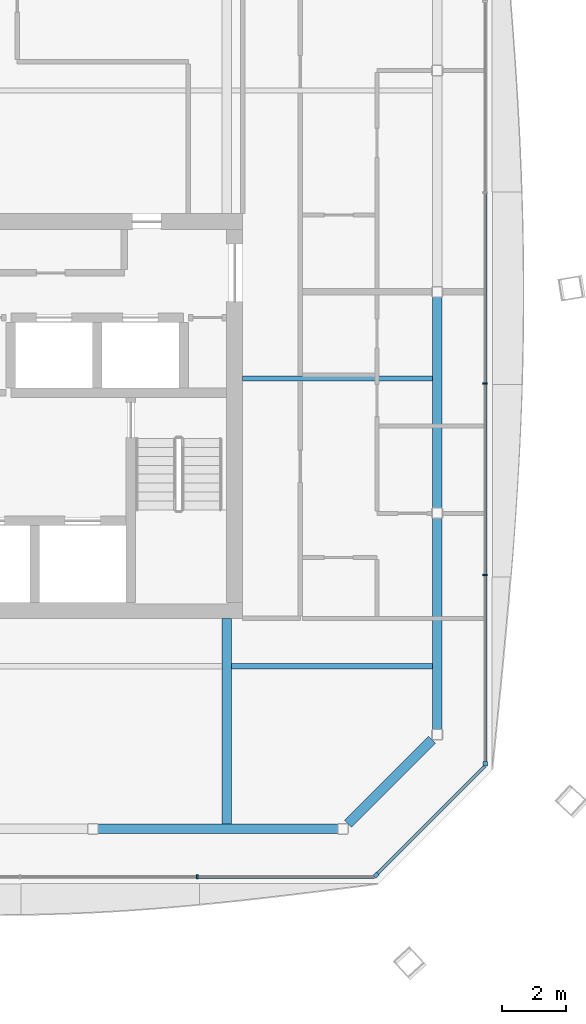
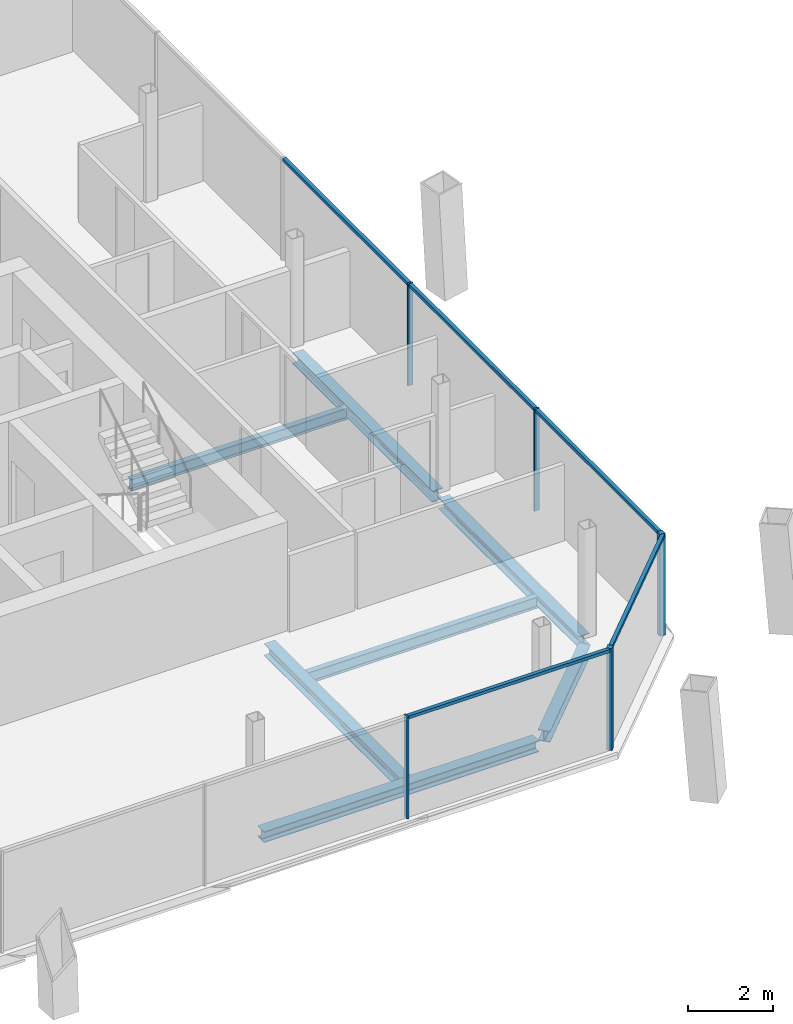
# One storey, part 8 of 20: 10 members, 7 beams, 3 elements without a shape of their own.
"""IFC4 building model written with IfcOpenShell, lengths in metres."""

import ifcopenshell
import ifcopenshell.guid

model = None  # the IFC model being written
_history = None  # IfcOwnerHistory: only IFC2X3 demands one
_inside = {}  # id of a spatial element -> (the spatial element, [elements in it])
_under = {}  # id of a project, library or spatial element -> (it, [spatial elements below it])
_declared = {}  # id of a project -> (the project, [libraries it declares])
_typed = {}  # id of a type object -> (the type object, [elements of that type])
_made_of = {}  # id of a material, layer set ... -> (it, [elements and type objects made of it])


def new_model(schema):
    """Start an empty IFC model of exactly this schema.

    Asked for "IFC4X3", IfcOpenShell would pick the latest addendum, in which some entities
    have other attributes; the version numbers below select the first issue.
    IFC2X3 requires an IfcOwnerHistory on every rooted entity: one is made here for all.
    """
    global model, _history
    if schema == "IFC4X3":
        model = ifcopenshell.file(schema_version=(4, 3, 0, 0))
    else:
        model = ifcopenshell.file(schema=schema)
    _inside.clear()
    _under.clear()
    _declared.clear()
    _typed.clear()
    _made_of.clear()
    _history = None
    if model.schema == "IFC2X3":
        org = make("IfcOrganization", Name="unknown")
        user = make(
            "IfcPersonAndOrganization",
            ThePerson=make("IfcPerson", FamilyName="unknown"),
            TheOrganization=org,
        )
        app = make(
            "IfcApplication",
            ApplicationDeveloper=org,
            Version="unknown",
            ApplicationFullName="unknown",
            ApplicationIdentifier="unknown",
        )
        _history = make(
            "IfcOwnerHistory",
            OwningUser=user,
            OwningApplication=app,
            ChangeAction="ADDED",
            CreationDate=0,
        )
    return model


def make(cls, **values):
    """One entity of the class cls with the attributes given. An attribute that is None is left unset."""
    return model.create_entity(
        cls, **{name: value for name, value in values.items() if value is not None}
    )


def rooted(cls, **values):
    """An entity with a GlobalId (a new one), such as an element, a storey or a relation."""
    return make(cls, GlobalId=ifcopenshell.guid.new(), OwnerHistory=_history, **values)


def si_unit(unit_type, name, prefix=None):
    """IfcSIUnit, for example si_unit("LENGTHUNIT", "METRE", prefix="MILLI")."""
    return make("IfcSIUnit", UnitType=unit_type, Prefix=prefix, Name=name)


def assignment(units):
    """IfcUnitAssignment: the units of a project."""
    return None if units is None else make("IfcUnitAssignment", Units=units)


def point(xyz):
    """IfcCartesianPoint."""
    return None if xyz is None else make("IfcCartesianPoint", Coordinates=xyz)


def direction(xyz):
    """IfcDirection."""
    return None if xyz is None else make("IfcDirection", DirectionRatios=xyz)


def frame(location, z_axis=None, x_axis=None):
    """IfcAxis2Placement3D, a coordinate frame: its origin and axes. An axis left out is left unset."""
    return make(
        "IfcAxis2Placement3D",
        Location=point(location),
        Axis=direction(z_axis),
        RefDirection=direction(x_axis),
    )


def frame_2d(location, x_axis=None):
    """IfcAxis2Placement2D, a coordinate frame in the plane: its origin and x axis."""
    return make(
        "IfcAxis2Placement2D", Location=point(location), RefDirection=direction(x_axis)
    )


def origin():
    """The frame at (0, 0, 0) with its axes left unset."""
    return frame((0.0, 0.0, 0.0))


def origin_2d():
    """The frame at (0, 0) in the plane with its x axis left unset."""
    return frame_2d((0.0, 0.0))


def place(relative_to, where):
    """IfcLocalPlacement: puts the frame where relative to a parent placement (None: the world)."""
    return make(
        "IfcLocalPlacement", PlacementRelTo=relative_to, RelativePlacement=where
    )


def context(
    kind, dimensions, precision=None, world=None, true_north=None, identifier=None
):
    """IfcGeometricRepresentationContext, for example the 3D "Model" context."""
    return make(
        "IfcGeometricRepresentationContext",
        ContextIdentifier=identifier,
        ContextType=kind,
        CoordinateSpaceDimension=dimensions,
        Precision=precision,
        WorldCoordinateSystem=world,
        TrueNorth=true_north,
    )


def subcontext(parent, identifier, kind, view, scale=None):
    """IfcGeometricRepresentationSubContext, for example "Body" below "Model"."""
    return make(
        "IfcGeometricRepresentationSubContext",
        ContextIdentifier=identifier,
        ContextType=kind,
        ParentContext=parent,
        TargetScale=scale,
        TargetView=view,
    )


def project(units=None, contexts=None):
    """IfcProject with its units and contexts."""
    return rooted(
        "IfcProject",
        Name="project",
        RepresentationContexts=contexts,
        UnitsInContext=assignment(units),
    )


def spatial(cls, under=None, at=None, **own):
    """A site, building, storey or space (cls), placed at a placement, below another one or the project."""
    s = rooted(cls, ObjectPlacement=at, **own)
    if under is not None:
        _under.setdefault(under.id(), (under, []))[1].append(s)
    return s


def profile(cls, at=None, kind="AREA", **sizes):
    """A parametric profile (cls). Its sizes go by their IFC names, for example OverallWidth=200.0."""
    return make(cls, ProfileType=kind, Position=at, **sizes)


def rectangle(**sizes):
    """IfcRectangleProfileDef."""
    return profile("IfcRectangleProfileDef", **sizes)


def i_section(**sizes):
    """IfcIShapeProfileDef."""
    return profile("IfcIShapeProfileDef", **sizes)


def extrude(swept, where, along, depth):
    """IfcExtrudedAreaSolid: the profile swept, set in the frame where, extruded along a direction by depth."""
    return make(
        "IfcExtrudedAreaSolid",
        SweptArea=swept,
        Position=where,
        ExtrudedDirection=direction(along),
        Depth=depth,
    )


def shape(context_of_items, identifier, shape_type, items):
    """IfcShapeRepresentation: the items that make up one representation, for example the "Body"."""
    return make(
        "IfcShapeRepresentation",
        ContextOfItems=context_of_items,
        RepresentationIdentifier=identifier,
        RepresentationType=shape_type,
        Items=items,
    )


def material(Name=None, Category=None):
    """IfcMaterial."""
    return make("IfcMaterial", Name=Name, Category=Category)


def material_profile(
    of_material, cross_section, Name=None, Category=None, Priority=None
):
    """IfcMaterialProfile: a cross section and its material."""
    return make(
        "IfcMaterialProfile",
        Name=Name,
        Material=of_material,
        Profile=cross_section,
        Priority=Priority,
        Category=Category,
    )


def profile_set(profiles, Name=None, composite=None):
    """IfcMaterialProfileSet."""
    return make(
        "IfcMaterialProfileSet",
        Name=Name,
        MaterialProfiles=profiles,
        CompositeProfile=composite,
    )


def made_of(thing, what):
    """Note that an element or type object is made of a material, layer set ...; save() writes the relation."""
    if what is not None:
        _made_of.setdefault(what.id(), (what, []))[1].append(thing)
    return thing


def type_object(cls, material=None, **own):
    """A type object (cls), such as IfcWallType, which elements share."""
    return made_of(rooted(cls, **own), material)


def element(
    cls,
    number,
    at=None,
    inside=None,
    cuts=None,
    type_object=None,
    material=None,
    context=None,
    identifier="Body",
    shape_type=None,
    held_by="IfcProductDefinitionShape",
    body=None,
    shapes=None,
    **own,
):
    """One element of the class cls, such as IfcWall. Its Tag is "e" and its number.

    at: its placement. inside: the storey or other place that contains it. cuts: it is an
    opening in that element (IfcRelVoidsElement). A single representation is given by context,
    identifier, shape_type and body (its items); several are given by shapes. held_by: the class
    of the entity that holds the representations. save() writes the other relations.
    """
    e = rooted(cls, Tag="e%d" % number, ObjectPlacement=at, **own)
    if body is not None:
        shapes = [shape(context, identifier, shape_type, body)]
    if shapes is not None:
        e.Representation = make(held_by, Representations=shapes)
    if inside is not None:
        _inside.setdefault(inside.id(), (inside, []))[1].append(e)
    if cuts is not None:
        rooted(
            "IfcRelVoidsElement", RelatingBuildingElement=cuts, RelatedOpeningElement=e
        )
    if type_object is not None:
        _typed.setdefault(type_object.id(), (type_object, []))[1].append(e)
    return made_of(e, material)


def aggregate(whole, parts):
    """IfcRelAggregates: a whole, such as a stair, and the parts it consists of."""
    return rooted("IfcRelAggregates", RelatingObject=whole, RelatedObjects=parts)


def save(model, path):
    """Write the relations noted so far, then the file.

    IfcRelAggregates (storeys below a building ...), IfcRelContainedInSpatialStructure (elements
    in a storey), IfcRelDefinesByType, IfcRelAssociatesMaterial and IfcRelDeclares: one each for
    every whole, place, type object, material and project.
    """
    for whole, parts in _under.values():
        aggregate(whole, parts)
    for where, things in _inside.values():
        rooted(
            "IfcRelContainedInSpatialStructure",
            RelatedElements=things,
            RelatingStructure=where,
        )
    for kind, things in _typed.values():
        rooted("IfcRelDefinesByType", RelatedObjects=things, RelatingType=kind)
    for what, things in _made_of.values():
        rooted("IfcRelAssociatesMaterial", RelatedObjects=things, RelatingMaterial=what)
    for by, libraries in _declared.values():
        rooted("IfcRelDeclares", RelatingContext=by, RelatedDefinitions=libraries)
    model.write(path)


model = new_model("IFC4")

# Units and contexts
model_context = context("Model", 3, precision=1e-05, world=origin(), true_north=direction((0.0, 1.0)))
body_context = subcontext(model_context, "Body", "Model", "MODEL_VIEW")
ifc_project = project(units=[si_unit("LENGTHUNIT", "METRE"), si_unit("AREAUNIT", "SQUARE_METRE"), si_unit("VOLUMEUNIT", "CUBIC_METRE"), si_unit("PLANEANGLEUNIT", "RADIAN"), si_unit("MASSUNIT", "GRAM", prefix="KILO")], contexts=[model_context])

# Site, building, storey
site_placement = place(None, origin())
site = spatial("IfcSite", under=ifc_project, at=site_placement, CompositionType="ELEMENT")
building_placement = place(site_placement, origin())
building = spatial("IfcBuilding", under=site, at=building_placement, Name="Tskaro Facet Tower", CompositionType="ELEMENT")
storey_placement = place(building_placement, frame((0.0, 0.0, 197.39990234375)))
storey = spatial("IfcBuildingStorey", under=building, at=storey_placement, Name="L50", CompositionType="ELEMENT", Elevation=197.39990234375)

# Curtain wall, member
ifc_material_1 = material(Name="Bronze anodised aluminium 6063-T6", Category="aluminium")
curtain_wall_type = type_object("IfcCurtainWallType", Name="Bronze residence curtain wall (FW3)", PredefinedType="NOTDEFINED", material=ifc_material_1)
curtain_wall_1_placement = place(storey_placement, origin())
curtain_wall_1 = element("IfcCurtainWall", 1, at=curtain_wall_1_placement, inside=storey, type_object=curtain_wall_type, Name="FW3 south-east facet L50", PredefinedType="NOTDEFINED")
ifc_material_profile_1 = material_profile(ifc_material_1, rectangle(XDim=0.139892578125, YDim=0.139892578125, at=origin_2d()), Name="Corner post 140x140")
ifc_profile_set_1 = profile_set([ifc_material_profile_1], Name="Bronze anodised aluminium 6063-T6")
member_type_1 = type_object("IfcMemberType", Name="FW3 bronze corner post 140x140", PredefinedType="MULLION", material=ifc_profile_set_1)
member_1_placement = place(storey_placement, frame((13.66748046875, -20.030517578125, 0.0), z_axis=(0.0, 0.0, 1.0), x_axis=(0.707106781187, 0.707106781187, 0.0)))
member_1 = element("IfcMember", 2, at=member_1_placement, type_object=member_type_1, Name="FW3 south-east corner post", PredefinedType="MULLION", context=body_context, shape_type="SweptSolid", body=[
    extrude(rectangle(XDim=0.139892578125, YDim=0.139892578125, at=origin_2d()), origin(), (0.0, 0.0, 1.0), 2.9501953125),
])

curtain_wall_2_placement = place(storey_placement, origin())
curtain_wall_2 = element("IfcCurtainWall", 3, at=curtain_wall_2_placement, inside=storey, type_object=curtain_wall_type, Name="FW3 east facet L50", PredefinedType="NOTDEFINED")
member_2_placement = place(storey_placement, frame((17.080078125, -16.548095703125, 0.0), z_axis=(0.0, 0.0, 1.0), x_axis=(0.0, 1.0, 0.0)))
member_2 = element("IfcMember", 4, at=member_2_placement, type_object=member_type_1, Name="FW3 east corner post", PredefinedType="MULLION", context=body_context, shape_type="SweptSolid", body=[
    extrude(rectangle(XDim=0.139892578125, YDim=0.139892578125, at=origin_2d()), origin(), (0.0, 0.0, 1.0), 2.9501953125),
])

curtain_wall_3_placement = place(storey_placement, origin())
curtain_wall_3 = element("IfcCurtainWall", 5, at=curtain_wall_3_placement, inside=storey, type_object=curtain_wall_type, Name="FW3 south facet L50", PredefinedType="NOTDEFINED")
ifc_material_profile_2 = material_profile(ifc_material_1, rectangle(XDim=0.050048828125, YDim=0.139892578125, at=origin_2d()), Name="Mullion 50x140")
ifc_profile_set_2 = profile_set([ifc_material_profile_2], Name="Bronze anodised aluminium 6063-T6")
member_type_2 = type_object("IfcMemberType", Name="FW3 bronze mullion 50x140", PredefinedType="MULLION", material=ifc_profile_set_2)
member_3_placement = place(storey_placement, frame((8.07861328125, -20.080078125, 0.0), z_axis=(0.0, 0.0, 1.0), x_axis=(1.0, 0.0, 0.0)))
member_3 = element("IfcMember", 6, at=member_3_placement, type_object=member_type_2, Name="FW3 south mullion 5", PredefinedType="MULLION", context=body_context, shape_type="SweptSolid", body=[
    extrude(rectangle(XDim=0.050048828125, YDim=0.139892578125, at=origin_2d()), origin(), (0.0, 0.0, 1.0), 2.9501953125),
])

# Member
member_4_placement = place(storey_placement, frame((17.080078125, -10.640380859375, 0.0), z_axis=(0.0, 0.0, 1.0), x_axis=(0.0, 1.0, 0.0)))
member_4 = element("IfcMember", 7, at=member_4_placement, type_object=member_type_2, Name="FW3 east mullion 1", PredefinedType="MULLION", context=body_context, shape_type="SweptSolid", body=[
    extrude(rectangle(XDim=0.050048828125, YDim=0.139892578125, at=origin_2d()), origin(), (0.0, 0.0, 1.0), 2.9501953125),
])

member_5_placement = place(storey_placement, frame((17.080078125, -4.662841796875, 0.0), z_axis=(0.0, 0.0, 1.0), x_axis=(0.0, 1.0, 0.0)))
member_5 = element("IfcMember", 8, at=member_5_placement, type_object=member_type_2, Name="FW3 east mullion 2", PredefinedType="MULLION", context=body_context, shape_type="SweptSolid", body=[
    extrude(rectangle(XDim=0.050048828125, YDim=0.139892578125, at=origin_2d()), origin(), (0.0, 0.0, 1.0), 2.9501953125),
])

ifc_material_profile_3 = material_profile(ifc_material_1, rectangle(XDim=0.10009765625, YDim=0.090087890625, at=origin_2d()), Name="Transom 100x90")
ifc_profile_set_3 = profile_set([ifc_material_profile_3], Name="Bronze anodised aluminium 6063-T6")
member_type_3 = type_object("IfcMemberType", Name="FW3 bronze transom 100x90", PredefinedType="USERDEFINED", material=ifc_profile_set_3)
member_6_placement = place(storey_placement, frame((8.103759765625, -20.080078125, 2.905029296875), z_axis=(1.0, 0.0, 0.0), x_axis=(0.0, 1.0, 0.0)))
member_6 = element("IfcMember", 9, at=member_6_placement, type_object=member_type_3, Name="FW3 south transom 6.1", ObjectType="TRANSOM", PredefinedType="USERDEFINED", context=body_context, shape_type="SweptSolid", body=[
    extrude(rectangle(XDim=0.10009765625, YDim=0.090087890625, at=origin_2d()), origin(), (0.0, 0.0, 1.0), 5.51416015625),
])

aggregate(curtain_wall_3, [member_3, member_6])

member_7_placement = place(storey_placement, frame((13.717041015625, -19.98095703125, 2.905029296875), z_axis=(0.707106781187, 0.707106781187, 0.0), x_axis=(-0.707106781187, 0.707106781187, 0.0)))
member_7 = element("IfcMember", 10, at=member_7_placement, type_object=member_type_3, Name="FW3 south-east transom 1.1", ObjectType="TRANSOM", PredefinedType="USERDEFINED", context=body_context, shape_type="SweptSolid", body=[
    extrude(rectangle(XDim=0.10009765625, YDim=0.090087890625, at=origin_2d()), origin(), (0.0, 0.0, 1.0), 4.756103515625),
])

aggregate(curtain_wall_1, [member_1, member_7])

member_8_placement = place(storey_placement, frame((17.080078125, -16.47802734375, 2.905029296875), z_axis=(0.0, 1.0, 0.0), x_axis=(-1.0, 0.0, 0.0)))
member_8 = element("IfcMember", 11, at=member_8_placement, type_object=member_type_3, Name="FW3 east transom 1.1", ObjectType="TRANSOM", PredefinedType="USERDEFINED", context=body_context, shape_type="SweptSolid", body=[
    extrude(rectangle(XDim=0.10009765625, YDim=0.090087890625, at=origin_2d()), origin(), (0.0, 0.0, 1.0), 5.812744140625),
])

member_9_placement = place(storey_placement, frame((17.080078125, -10.615478515625, 2.905029296875), z_axis=(0.0, 1.0, 0.0), x_axis=(-1.0, 0.0, 0.0)))
member_9 = element("IfcMember", 12, at=member_9_placement, type_object=member_type_3, Name="FW3 east transom 2.1", ObjectType="TRANSOM", PredefinedType="USERDEFINED", context=body_context, shape_type="SweptSolid", body=[
    extrude(rectangle(XDim=0.10009765625, YDim=0.090087890625, at=origin_2d()), origin(), (0.0, 0.0, 1.0), 5.927734375),
])

member_10_placement = place(storey_placement, frame((17.080078125, -4.6376953125, 2.905029296875), z_axis=(0.0, 1.0, 0.0), x_axis=(-1.0, 0.0, 0.0)))
member_10 = element("IfcMember", 13, at=member_10_placement, type_object=member_type_3, Name="FW3 east transom 3.1", ObjectType="TRANSOM", PredefinedType="USERDEFINED", context=body_context, shape_type="SweptSolid", body=[
    extrude(rectangle(XDim=0.10009765625, YDim=0.090087890625, at=origin_2d()), origin(), (0.0, 0.0, 1.0), 5.927490234375),
])

aggregate(curtain_wall_2, [member_2, member_4, member_5, member_8, member_9, member_10])

# Beams
ifc_material_2 = material(Name="Steel S355J2", Category="steel")
ifc_material_profile_4 = material_profile(ifc_material_2, i_section(OverallWidth=0.300048828125, OverallDepth=0.320068359375, WebThickness=0.011474609375, FlangeThickness=0.0205078125, FilletRadius=0.027099609375, at=origin_2d()), Name="HE 320 B")
ifc_profile_set_4 = profile_set([ifc_material_profile_4], Name="Steel S355J2")
beam_type_1 = type_object("IfcBeamType", Name="HE 320 B ring beam", PredefinedType="BEAM", material=ifc_profile_set_4)
beam_1_placement = place(storey_placement, frame((4.971923828125, -18.5830078125, -0.2998046875), z_axis=(1.0, 0.0, 0.0), x_axis=(0.0, 1.0, 0.0)))
element("IfcBeam", 14, at=beam_1_placement, inside=storey, type_object=beam_type_1, Name="HE 320 B EB4-4", PredefinedType="BEAM", context=body_context, shape_type="SweptSolid", body=[
    extrude(i_section(OverallWidth=0.300048828125, OverallDepth=0.320068359375, WebThickness=0.011474609375, FlangeThickness=0.0205078125, FilletRadius=0.027099609375, at=origin_2d()), origin(), (0.0, 0.0, 1.0), 7.506103515625),
])
beam_2_placement = place(storey_placement, frame((12.7939453125, -18.422119140625, -0.2998046875), z_axis=(0.707106781187, 0.707106781187, 0.0), x_axis=(-0.707106781187, 0.707106781187, 0.0)))
element("IfcBeam", 15, at=beam_2_placement, inside=storey, type_object=beam_type_1, Name="HE 320 B EB5-4", PredefinedType="BEAM", context=body_context, shape_type="SweptSolid", body=[
    extrude(i_section(OverallWidth=0.300048828125, OverallDepth=0.320068359375, WebThickness=0.011474609375, FlangeThickness=0.0205078125, FilletRadius=0.027099609375, at=origin_2d()), origin(), (0.0, 0.0, 1.0), 3.716796875),
])
for number, where, z_axis, x_axis, name in (
    (16, (15.5830078125, -15.47802734375, -0.2998046875), (0.0, 1.0, 0.0), (-1.0, 0.0, 0.0), "HE 320 B EB6-4"),
    (17, (15.5830078125, -8.55810546875, -0.2998046875), (0.0, 1.0, 0.0), (-1.0, 0.0, 0.0), "HE 320 B EB7-4"),
):
    element("IfcBeam", number, at=place(storey_placement, frame(where, z_axis=z_axis, x_axis=x_axis)), inside=storey, type_object=beam_type_1, Name=name, PredefinedType="BEAM", context=body_context, shape_type="SweptSolid", body=[
        extrude(i_section(OverallWidth=0.300048828125, OverallDepth=0.320068359375, WebThickness=0.011474609375, FlangeThickness=0.0205078125, FilletRadius=0.027099609375, at=origin_2d()), origin(), (0.0, 0.0, 1.0), 6.610107421875),
    ])
ifc_material_profile_5 = material_profile(ifc_material_2, i_section(OverallWidth=0.300048828125, OverallDepth=0.35009765625, WebThickness=0.010009765625, FlangeThickness=0.017578125, FilletRadius=0.027099609375, at=origin_2d()), Name="HE 360 A")
ifc_profile_set_5 = profile_set([ifc_material_profile_5], Name="Steel S355J2")
beam_type_2 = type_object("IfcBeamType", Name="HE 360 A girder", PredefinedType="BEAM", material=ifc_profile_set_5)
beam_3_placement = place(storey_placement, frame((9.0, -18.43310546875, -0.31494140625), z_axis=(0.0, 1.0, 0.0), x_axis=(-1.0, 0.0, 0.0)))
element("IfcBeam", 18, at=beam_3_placement, inside=storey, type_object=beam_type_2, Name="HE 360 A GB5-1-4", PredefinedType="BEAM", context=body_context, shape_type="SweptSolid", body=[
    extrude(i_section(OverallWidth=0.300048828125, OverallDepth=0.35009765625, WebThickness=0.010009765625, FlangeThickness=0.017578125, FilletRadius=0.027099609375, at=origin_2d()), origin(), (0.0, 0.0, 1.0), 6.43310546875),
])
ifc_material_profile_6 = material_profile(ifc_material_2, i_section(OverallWidth=0.159912109375, OverallDepth=0.330078125, WebThickness=0.007568359375, FlangeThickness=0.011474609375, FilletRadius=0.01806640625, at=origin_2d()), Name="IPE 330")
ifc_profile_set_6 = profile_set([ifc_material_profile_6], Name="Steel S355J2")
beam_type_3 = type_object("IfcBeamType", Name="IPE 330 secondary beam", PredefinedType="BEAM", material=ifc_profile_set_6)
beam_4_placement = place(storey_placement, frame((9.14990234375, -13.5, -0.304931640625), z_axis=(1.0, 0.0, 0.0), x_axis=(0.0, 1.0, 0.0)))
element("IfcBeam", 19, at=beam_4_placement, inside=storey, type_object=beam_type_3, Name="IPE 330 SB2a-5-4", PredefinedType="BEAM", context=body_context, shape_type="SweptSolid", body=[
    extrude(i_section(OverallWidth=0.159912109375, OverallDepth=0.330078125, WebThickness=0.007568359375, FlangeThickness=0.011474609375, FilletRadius=0.01806640625, at=origin_2d()), origin(), (0.0, 0.0, 1.0), 6.283203125),
])
beam_5_placement = place(storey_placement, frame((9.5, -4.5, -0.304931640625), z_axis=(1.0, 0.0, 0.0), x_axis=(0.0, 1.0, 0.0)))
element("IfcBeam", 20, at=beam_5_placement, inside=storey, type_object=beam_type_3, Name="IPE 330 SB3a-3-4", PredefinedType="BEAM", context=body_context, shape_type="SweptSolid", body=[
    extrude(i_section(OverallWidth=0.159912109375, OverallDepth=0.330078125, WebThickness=0.007568359375, FlangeThickness=0.011474609375, FilletRadius=0.01806640625, at=origin_2d()), origin(), (0.0, 0.0, 1.0), 5.93310546875),
])

save(model, "model.ifc")
